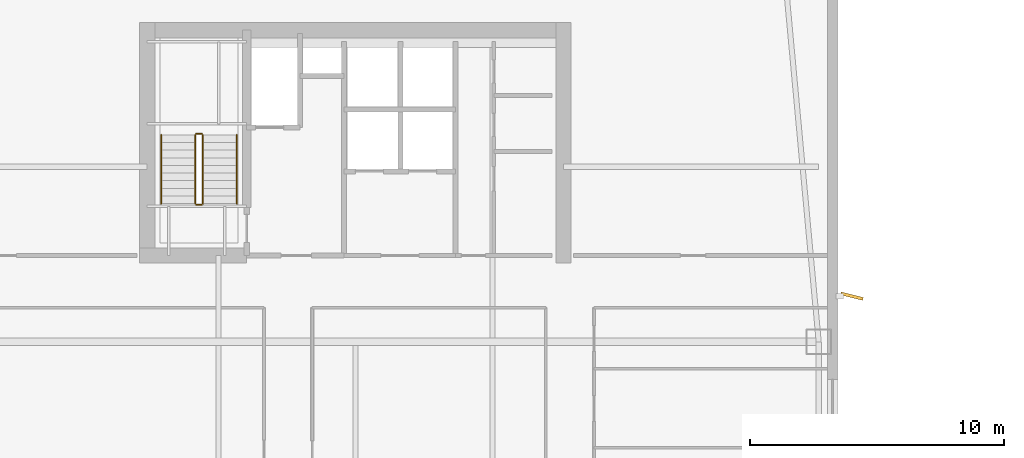
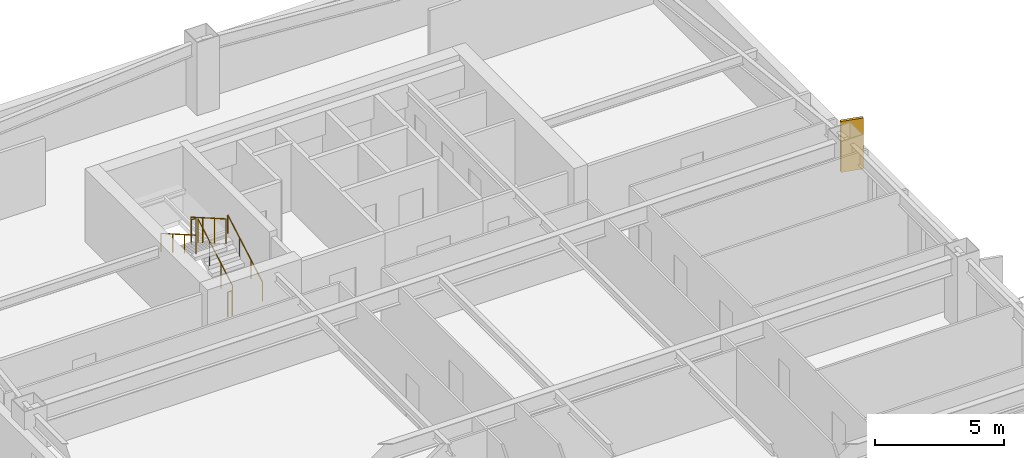
# One storey, part 15 of 17: 6 railings, 1 shading device.
"""IFC4 building model written with IfcOpenShell, lengths in metres."""

from ifc_helpers import new_model, si_unit, direction, frame, origin, origin_2d, place, context, subcontext, project, spatial, rectangle, circle, extrude, material, layer, layer_set, type_object, element, save


model = new_model("IFC4")

# Units and contexts
model_context = context("Model", 3, precision=1e-05, world=origin(), true_north=direction((0.0, 1.0)))
body_context = subcontext(model_context, "Body", "Model", "MODEL_VIEW")
ifc_project = project(units=[si_unit("LENGTHUNIT", "METRE"), si_unit("AREAUNIT", "SQUARE_METRE"), si_unit("VOLUMEUNIT", "CUBIC_METRE"), si_unit("PLANEANGLEUNIT", "RADIAN"), si_unit("MASSUNIT", "GRAM", prefix="KILO")], contexts=[model_context])

# Site, building, storey
site_placement = place(None, origin())
site = spatial("IfcSite", under=ifc_project, at=site_placement, CompositionType="ELEMENT")
building_placement = place(site_placement, origin())
building = spatial("IfcBuilding", under=site, at=building_placement, Name="Qiaolan Cultural Towers", CompositionType="ELEMENT")
storey_placement = place(building_placement, frame((0.0, 0.0, 131.10009765625)))
storey = spatial("IfcBuildingStorey", under=building, at=storey_placement, Name="L34", CompositionType="ELEMENT", Elevation=131.10009765625)

# Railings
ifc_material_1 = material(Name="Galvanized Painted Steel Stair Guardrail", Category="steel")
railing_type_1 = type_object("IfcRailingType", Name="RL-STAIR-GRD", PredefinedType="GUARDRAIL", material=ifc_material_1)
railing_1_placement = place(storey_placement, frame((23.989990234375, 48.449951171875, 0.17236328125)))
element("IfcRailing", 1, at=railing_1_placement, inside=storey, type_object=railing_type_1, Name="L34 ST-W2 stair guard 1", PredefinedType="GUARDRAIL", context=body_context, shape_type="SweptSolid", body=[
    extrude(circle(Radius=0.02392578125, at=origin_2d()), frame((0.0, 0.0, 1.17578125), z_axis=(0.0, 0.866903762492, 0.498475542607), x_axis=(-1.0, 0.0, 0.0)), (0.0, 0.0, 1.0), 3.114501953125),
    extrude(circle(Radius=0.02099609375, at=origin_2d()), origin(), (0.0, 0.0, 1.0), 1.15185546875),
    extrude(circle(Radius=0.02099609375, at=origin_2d()), frame((0.0, 0.89990234375, 0.517578125)), (0.0, 0.0, 1.0), 1.15185546875),
    extrude(circle(Radius=0.02099609375, at=origin_2d()), frame((0.0, 1.800048828125, 1.034912109375)), (0.0, 0.0, 1.0), 1.15185546875),
    extrude(circle(Radius=0.02099609375, at=origin_2d()), frame((0.0, 2.699951171875, 1.552490234375)), (0.0, 0.0, 1.0), 1.15185546875),
])
railing_2_placement = place(storey_placement, frame((23.93994140625, 51.199951171875, 1.724853515625)))
element("IfcRailing", 2, at=railing_2_placement, inside=storey, type_object=railing_type_1, Name="L34 ST-W2 stair guard 2", PredefinedType="GUARDRAIL", context=body_context, shape_type="SweptSolid", body=[
    extrude(circle(Radius=0.02392578125, at=origin_2d()), frame((0.0, 0.0, 1.17578125), z_axis=(-1.0, 0.0, 0.0), x_axis=(0.0, -1.0, 0.0)), (0.0, 0.0, 1.0), 0.199951171875),
    extrude(circle(Radius=0.02099609375, at=origin_2d()), origin(), (0.0, 0.0, 1.0), 1.15185546875),
    extrude(circle(Radius=0.02099609375, at=origin_2d()), frame((-0.199951171875, 0.0, 0.0)), (0.0, 0.0, 1.0), 1.15185546875),
])
railing_3_placement = place(storey_placement, frame((23.68994140625, 51.14990234375, 1.8974609375)))
element("IfcRailing", 3, at=railing_3_placement, inside=storey, type_object=railing_type_1, Name="L34 ST-W2 stair guard 3", PredefinedType="GUARDRAIL", context=body_context, shape_type="SweptSolid", body=[
    extrude(circle(Radius=0.02392578125, at=origin_2d()), frame((0.0, 0.0, 1.17578125), z_axis=(0.0, -0.866903762492, 0.498475542607), x_axis=(1.0, 0.0, 0.0)), (0.0, 0.0, 1.0), 3.114501953125),
    extrude(circle(Radius=0.02099609375, at=origin_2d()), origin(), (0.0, 0.0, 1.0), 1.15185546875),
    extrude(circle(Radius=0.02099609375, at=origin_2d()), frame((0.0, -0.89990234375, 0.517578125)), (0.0, 0.0, 1.0), 1.15185546875),
    extrude(circle(Radius=0.02099609375, at=origin_2d()), frame((0.0, -1.800048828125, 1.034912109375)), (0.0, 0.0, 1.0), 1.15185546875),
    extrude(circle(Radius=0.02099609375, at=origin_2d()), frame((0.0, -2.699951171875, 1.552490234375)), (0.0, 0.0, 1.0), 1.15185546875),
])
railing_4_placement = place(storey_placement, frame((23.93994140625, 48.39990234375, 0.0)))
element("IfcRailing", 4, at=railing_4_placement, inside=storey, type_object=railing_type_1, Name="L34 ST-W2 stair guard 4", PredefinedType="GUARDRAIL", context=body_context, shape_type="SweptSolid", body=[
    extrude(circle(Radius=0.02392578125, at=origin_2d()), frame((0.0, 0.0, 1.17578125), z_axis=(-1.0, 0.0, 0.0), x_axis=(0.0, -1.0, 0.0)), (0.0, 0.0, 1.0), 0.199951171875),
    extrude(circle(Radius=0.02099609375, at=origin_2d()), origin(), (0.0, 0.0, 1.0), 1.15185546875),
    extrude(circle(Radius=0.02099609375, at=origin_2d()), frame((-0.199951171875, 0.0, 0.0)), (0.0, 0.0, 1.0), 1.15185546875),
])
ifc_material_2 = material(Name="Stainless Steel S30408 Tubular Handrail", Category="steel")
railing_type_2 = type_object("IfcRailingType", Name="RL-STAIR-HR", PredefinedType="HANDRAIL", material=ifc_material_2)
railing_5_placement = place(storey_placement, frame((25.330078125, 48.449951171875, 0.17236328125)))
element("IfcRailing", 5, at=railing_5_placement, inside=storey, type_object=railing_type_2, Name="L34 ST-W2 stair handrail 1", PredefinedType="HANDRAIL", context=body_context, shape_type="SweptSolid", body=[
    extrude(circle(Radius=0.02392578125, at=origin_2d()), frame((0.0, 0.0, 0.8759765625), z_axis=(0.0, 0.866903762492, 0.498475542607), x_axis=(-1.0, 0.0, 0.0)), (0.0, 0.0, 1.0), 3.114501953125),
    extrude(circle(Radius=0.02099609375, at=origin_2d()), origin(), (0.0, 0.0, 1.0), 0.851806640625),
    extrude(circle(Radius=0.02099609375, at=origin_2d()), frame((0.0, 0.89990234375, 0.517578125)), (0.0, 0.0, 1.0), 0.851806640625),
    extrude(circle(Radius=0.02099609375, at=origin_2d()), frame((0.0, 1.800048828125, 1.034912109375)), (0.0, 0.0, 1.0), 0.851806640625),
    extrude(circle(Radius=0.02099609375, at=origin_2d()), frame((0.0, 2.699951171875, 1.552490234375)), (0.0, 0.0, 1.0), 0.851806640625),
])
railing_6_placement = place(storey_placement, frame((22.35009765625, 51.14990234375, 1.8974609375)))
element("IfcRailing", 6, at=railing_6_placement, inside=storey, type_object=railing_type_2, Name="L34 ST-W2 stair handrail 2", PredefinedType="HANDRAIL", context=body_context, shape_type="SweptSolid", body=[
    extrude(circle(Radius=0.02392578125, at=origin_2d()), frame((0.0, 0.0, 0.8759765625), z_axis=(0.0, -0.866903762492, 0.498475542607), x_axis=(1.0, 0.0, 0.0)), (0.0, 0.0, 1.0), 3.114501953125),
    extrude(circle(Radius=0.02099609375, at=origin_2d()), origin(), (0.0, 0.0, 1.0), 0.851806640625),
    extrude(circle(Radius=0.02099609375, at=origin_2d()), frame((0.0, -0.89990234375, 0.517578125)), (0.0, 0.0, 1.0), 0.851806640625),
    extrude(circle(Radius=0.02099609375, at=origin_2d()), frame((0.0, -1.800048828125, 1.034912109375)), (0.0, 0.0, 1.0), 0.851806640625),
    extrude(circle(Radius=0.02099609375, at=origin_2d()), frame((0.0, -2.699951171875, 1.552490234375)), (0.0, 0.0, 1.0), 0.851806640625),
])

# Shading device
ifc_material_3 = material(Name="Pierced Warm Terracotta Acoustic Fin", Category="masonry")
ifc_layer = layer(ifc_material_3, 0.1201171875)
ifc_layer_set = layer_set([ifc_layer], Name="Pierced Warm Terracotta Acoustic Fin")
shading_device_type = type_object("IfcShadingDeviceType", Name="SHD-FIN-PIERCED", PredefinedType="USERDEFINED", material=ifc_layer_set)
shading_device_placement = place(storey_placement, frame((49.56005859375, 44.800048828125, 0.10009765625), z_axis=(0.0, 0.0, 1.0), x_axis=(0.969891617581, -0.243536958479, 0.0)))
element("IfcShadingDevice", 7, at=shading_device_placement, inside=storey, type_object=shading_device_type, Name="L34 T1 Expressive Precast Vertical Fin E3", ObjectType="FIN", PredefinedType="USERDEFINED", context=body_context, shape_type="SweptSolid", body=[
    extrude(rectangle(XDim=0.89990234375, YDim=0.1201171875, at=origin_2d()), origin(), (0.0, 0.0, 1.0), 2.409912109375),
])

save(model, "model.ifc")
